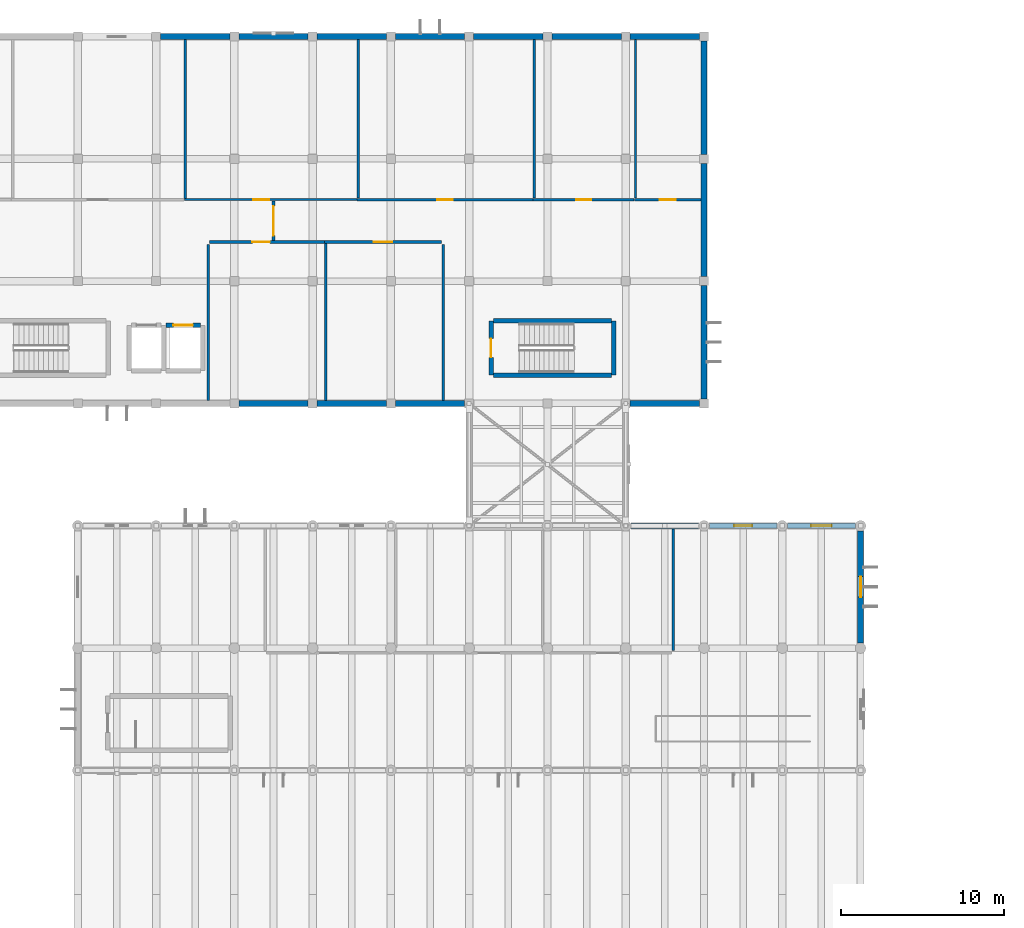
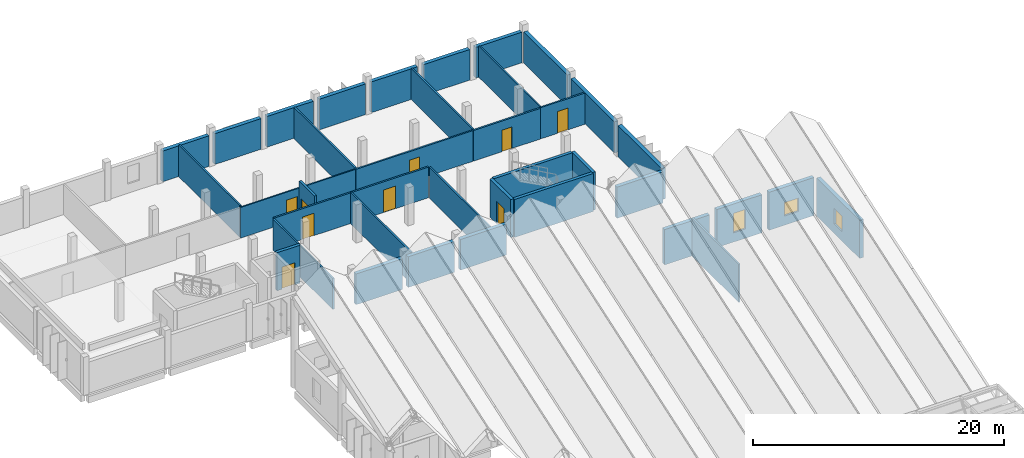
# One storey, part 31 of 47: 38 walls, 9 doors, 3 windows, 12 openings.
"""IFC4 building model written with IfcOpenShell, lengths in metres."""

from ifc_helpers import new_model, si_unit, direction, frame, frame_2d, origin, place, context, subcontext, project, spatial, rectangle, extrude, material, layer, layer_set, type_object, element, fill, save


model = new_model("IFC4")

# Units and contexts
model_context = context("Model", 3, precision=1e-05, world=origin(), true_north=direction((0.0, 1.0)))
body_context = subcontext(model_context, "Body", "Model", "MODEL_VIEW")
ifc_project = project(units=[si_unit("LENGTHUNIT", "METRE"), si_unit("AREAUNIT", "SQUARE_METRE"), si_unit("VOLUMEUNIT", "CUBIC_METRE"), si_unit("PLANEANGLEUNIT", "RADIAN"), si_unit("MASSUNIT", "GRAM", prefix="KILO")], contexts=[model_context])

# Site, building, storey
site_placement = place(None, origin())
site = spatial("IfcSite", under=ifc_project, at=site_placement, CompositionType="ELEMENT")
building_placement = place(site_placement, origin())
building = spatial("IfcBuilding", under=site, at=building_placement, Name="Mawjan Specialist Oncology Clinic", CompositionType="ELEMENT")
storey_placement = place(building_placement, frame((0.0, 0.0, 9.5)))
storey = spatial("IfcBuildingStorey", under=building, at=storey_placement, Name="L02", CompositionType="ELEMENT", Elevation=9.5)

# Walls
ifc_material_1 = material(Name="Precast concrete C40/50", Category="concrete")
ifc_layer_1 = layer(ifc_material_1, 0.35009765625, Name="Precast concrete C40/50", Category="concrete")
ifc_layer_set_1 = layer_set([ifc_layer_1], Name="Precast concrete C40/50")
wall_type_1 = type_object("IfcWallType", Name="EW-350", PredefinedType="SOLIDWALL", material=ifc_layer_set_1)
for number, where, z_axis, x_axis, name in (
    (1, (83.72509765625, 83.300048828125, 0.0), (0.0, 0.0, 1.0), (-1.0, 0.0, 0.0), "L02 Coral-Limestone Exterior Wall EW-L02-206"),
    (2, (78.925048828125, 83.300048828125, 0.0), (0.0, 0.0, 1.0), (-1.0, 0.0, 0.0), "L02 Coral-Limestone Exterior Wall EW-L02-207"),
    (3, (74.125, 83.300048828125, 0.0), (0.0, 0.0, 1.0), (-1.0, 0.0, 0.0), "L02 Coral-Limestone Exterior Wall EW-L02-208"),
    (4, (65.074951171875, 105.800048828125, 0.0), (0.0, 0.0, 1.0), (1.0, 0.0, 0.0), "L02 Coral-Limestone Exterior Wall EW-L02-219"),
    (5, (69.875, 105.800048828125, 0.0), (0.0, 0.0, 1.0), (1.0, 0.0, 0.0), "L02 Coral-Limestone Exterior Wall EW-L02-220"),
    (6, (74.675048828125, 105.800048828125, 0.0), (0.0, 0.0, 1.0), (1.0, 0.0, 0.0), "L02 Coral-Limestone Exterior Wall EW-L02-221"),
    (7, (79.47509765625, 105.800048828125, 0.0), (0.0, 0.0, 1.0), (1.0, 0.0, 0.0), "L02 Coral-Limestone Exterior Wall EW-L02-222"),
    (8, (84.27490234375, 105.800048828125, 0.0), (0.0, 0.0, 1.0), (1.0, 0.0, 0.0), "L02 Coral-Limestone Exterior Wall EW-L02-223"),
    (9, (89.074951171875, 105.800048828125, 0.0), (0.0, 0.0, 1.0), (1.0, 0.0, 0.0), "L02 Coral-Limestone Exterior Wall EW-L02-224"),
    (10, (93.875, 105.800048828125, 0.0), (0.0, 0.0, 1.0), (1.0, 0.0, 0.0), "L02 Coral-Limestone Exterior Wall EW-L02-225"),
):
    element("IfcWall", number, at=place(storey_placement, frame(where, z_axis=z_axis, x_axis=x_axis)), inside=storey, type_object=wall_type_1, Name=name, PredefinedType="SOLIDWALL", context=body_context, shape_type="SweptSolid", body=[
        extrude(rectangle(XDim=4.25, YDim=0.35009765625, at=frame_2d((2.125, 0.0))), origin(), (0.0, 0.0, 1.0), 2.985107421875),
    ])
for number, where, z_axis, x_axis, name in (
    (11, (98.39990234375, 105.52490234375, 0.0), (0.0, 0.0, 1.0), (0.0, -1.0, 0.0), "L02 Coral-Limestone Exterior Wall EW-L02-226"),
    (12, (98.39990234375, 98.02490234375, 0.0), (0.0, 0.0, 1.0), (0.0, -1.0, 0.0), "L02 Coral-Limestone Exterior Wall EW-L02-227"),
    (13, (98.39990234375, 90.52490234375, 0.0), (0.0, 0.0, 1.0), (0.0, -1.0, 0.0), "L02 Coral-Limestone Exterior Wall EW-L02-228"),
):
    element("IfcWall", number, at=place(storey_placement, frame(where, z_axis=z_axis, x_axis=x_axis)), inside=storey, type_object=wall_type_1, Name=name, PredefinedType="SOLIDWALL", context=body_context, shape_type="SweptSolid", body=[
        extrude(rectangle(XDim=6.949951171875, YDim=0.35009765625, at=frame_2d((3.47509765625, 0.0))), origin(), (0.0, 0.0, 1.0), 3.034912109375),
    ])
wall_1_placement = place(storey_placement, frame((98.125, 83.300048828125, 0.0), z_axis=(0.0, 0.0, 1.0), x_axis=(-1.0, 0.0, 0.0)))
element("IfcWall", 14, at=wall_1_placement, inside=storey, type_object=wall_type_1, Name="L02 Coral-Limestone Exterior Wall EW-L02-229", PredefinedType="SOLIDWALL", context=body_context, shape_type="SweptSolid", body=[
    extrude(rectangle(XDim=4.25, YDim=0.35009765625, at=frame_2d((2.125, 0.0))), origin(), (0.0, 0.0, 1.0), 3.034912109375),
])
wall_2_placement = place(storey_placement, frame((93.925048828125, 75.800048828125, 0.0), z_axis=(0.0, 0.0, 1.0), x_axis=(1.0, 0.0, 0.0)))
element("IfcWall", 15, at=wall_2_placement, inside=storey, type_object=wall_type_1, Name="L02 Coral-Limestone Exterior Wall EW-L02-231", PredefinedType="SOLIDWALL", context=body_context, shape_type="SweptSolid", body=[
    extrude(rectangle(XDim=4.14990234375, YDim=0.35009765625, at=frame_2d((2.074951171875, 0.0))), origin(), (0.0, 0.0, 1.0), 3.425048828125),
])

# Wall, opening, window
wall_3_placement = place(storey_placement, frame((98.72509765625, 75.800048828125, 0.0), z_axis=(0.0, 0.0, 1.0), x_axis=(1.0, 0.0, 0.0)))
wall_3 = element("IfcWall", 16, at=wall_3_placement, inside=storey, type_object=wall_type_1, Name="L02 Coral-Limestone Exterior Wall EW-L02-232", PredefinedType="SOLIDWALL", context=body_context, shape_type="SweptSolid", body=[
    extrude(rectangle(XDim=4.14990234375, YDim=0.35009765625, at=frame_2d((2.074951171875, 0.0))), origin(), (0.0, 0.0, 1.0), 3.699951171875),
])
opening_1_placement = place(wall_3_placement, frame((1.52490234375, 0.0, 0.89990234375)))
opening_1 = element("IfcOpeningElement", 17, at=opening_1_placement, cuts=wall_3, Name="Opening WN-08", PredefinedType="OPENING", context=body_context, shape_type="SweptSolid", body=[
    extrude(rectangle(XDim=1.10009765625, YDim=1.89990234375, at=frame_2d((0.550048828125, 0.949951171875))), frame((0.0, 0.18701171875, 0.0), z_axis=(0.0, -1.0, 0.0), x_axis=(1.0, 0.0, 0.0)), (0.0, 0.0, 1.0), 0.3740234375),
])
ifc_material_2 = material(Name="Thermally broken low-E clinical aluminium window", Category="aluminium")
window_type_1 = type_object("IfcWindowType", Name="WN-08", PartitioningType="SINGLE_PANEL", PredefinedType="WINDOW", material=ifc_material_2)
window_1_placement = place(opening_1_placement, origin())
window_1 = element("IfcWindow", 18, at=window_1_placement, inside=storey, type_object=window_type_1, Name="L02 Clinical Low-E Window 044", OverallHeight=1.89990234375, OverallWidth=1.10009765625, PartitioningType="SINGLE_PANEL", PredefinedType="WINDOW", context=body_context, shape_type="SweptSolid", body=[
    extrude(rectangle(XDim=1.10009765625, YDim=1.89990234375, at=frame_2d((0.550048828125, 0.949951171875))), frame((0.0, 0.030029296875, 0.0), z_axis=(0.0, -1.0, 0.0), x_axis=(1.0, 0.0, 0.0)), (0.0, 0.0, 1.0), 0.06005859375),
])
fill(opening_1, window_1)

wall_4_placement = place(storey_placement, frame((103.52490234375, 75.800048828125, 0.0), z_axis=(0.0, 0.0, 1.0), x_axis=(1.0, 0.0, 0.0)))
wall_4 = element("IfcWall", 19, at=wall_4_placement, inside=storey, type_object=wall_type_1, Name="L02 Coral-Limestone Exterior Wall EW-L02-233", PredefinedType="SOLIDWALL", context=body_context, shape_type="SweptSolid", body=[
    extrude(rectangle(XDim=4.150146484375, YDim=0.35009765625, at=frame_2d((2.0751953125, 0.0))), origin(), (0.0, 0.0, 1.0), 3.699951171875),
])
opening_2_placement = place(wall_4_placement, frame((1.449951171875, 0.0, 0.89990234375)))
opening_2 = element("IfcOpeningElement", 20, at=opening_2_placement, cuts=wall_4, Name="Opening WN-09", PredefinedType="OPENING", context=body_context, shape_type="SweptSolid", body=[
    extrude(rectangle(XDim=1.25, YDim=1.300048828125, at=frame_2d((0.625, 0.64990234375))), frame((0.0, 0.18701171875, 0.0), z_axis=(0.0, -1.0, 0.0), x_axis=(1.0, 0.0, 0.0)), (0.0, 0.0, 1.0), 0.3740234375),
])
ifc_material_3 = material(Name="Thermally broken low-E clinical aluminium window", Category="aluminium")
window_type_2 = type_object("IfcWindowType", Name="WN-09", PartitioningType="SINGLE_PANEL", PredefinedType="WINDOW", material=ifc_material_3)
window_2_placement = place(opening_2_placement, origin())
window_2 = element("IfcWindow", 21, at=window_2_placement, inside=storey, type_object=window_type_2, Name="L02 Clinical Low-E Window 045", OverallHeight=1.300048828125, OverallWidth=1.25, PartitioningType="SINGLE_PANEL", PredefinedType="WINDOW", context=body_context, shape_type="SweptSolid", body=[
    extrude(rectangle(XDim=1.25, YDim=1.300048828125, at=frame_2d((0.625, 0.64990234375))), frame((0.0, 0.030029296875, 0.0), z_axis=(0.0, -1.0, 0.0), x_axis=(1.0, 0.0, 0.0)), (0.0, 0.0, 1.0), 0.06005859375),
])
fill(opening_2, window_2)

wall_5_placement = place(storey_placement, frame((108.0, 75.47509765625, 0.0), z_axis=(0.0, 0.0, 1.0), x_axis=(0.0, -1.0, 0.0)))
wall_5 = element("IfcWall", 22, at=wall_5_placement, inside=storey, type_object=wall_type_1, Name="L02 Coral-Limestone Exterior Wall EW-L02-234", PredefinedType="SOLIDWALL", context=body_context, shape_type="SweptSolid", body=[
    extrude(rectangle(XDim=6.85009765625, YDim=0.35009765625, at=frame_2d((3.425048828125, 0.0))), origin(), (0.0, 0.0, 1.0), 3.699951171875),
])
opening_3_placement = place(wall_5_placement, frame((2.800048828125, 0.0, 0.89990234375)))
opening_3 = element("IfcOpeningElement", 23, at=opening_3_placement, cuts=wall_5, Name="Opening WN-10", PredefinedType="OPENING", context=body_context, shape_type="SweptSolid", body=[
    extrude(rectangle(XDim=1.25, YDim=1.5, at=frame_2d((0.625, 0.75))), frame((0.0, 0.18701171875, 0.0), z_axis=(0.0, -1.0, 0.0), x_axis=(1.0, 0.0, 0.0)), (0.0, 0.0, 1.0), 0.3740234375),
])
ifc_material_4 = material(Name="Thermally broken low-E clinical aluminium window", Category="aluminium")
window_type_3 = type_object("IfcWindowType", Name="WN-10", PartitioningType="SINGLE_PANEL", PredefinedType="WINDOW", material=ifc_material_4)
window_3_placement = place(opening_3_placement, origin())
window_3 = element("IfcWindow", 24, at=window_3_placement, inside=storey, type_object=window_type_3, Name="L02 Clinical Low-E Window 046", OverallHeight=1.5, OverallWidth=1.25, PartitioningType="SINGLE_PANEL", PredefinedType="WINDOW", context=body_context, shape_type="SweptSolid", body=[
    extrude(rectangle(XDim=1.25, YDim=1.5, at=frame_2d((0.625, 0.75))), frame((0.0, 0.030029296875, 0.0), z_axis=(0.0, -1.0, 0.0), x_axis=(1.0, 0.0, 0.0)), (0.0, 0.0, 1.0), 0.06005859375),
])
fill(opening_3, window_3)

# Wall, opening, door
ifc_material_5 = material(Name="Concrete C45/55", Category="concrete")
ifc_layer_2 = layer(ifc_material_5, 0.280029296875, Name="Concrete C45/55", Category="concrete")
ifc_layer_set_2 = layer_set([ifc_layer_2], Name="Concrete C45/55")
wall_type_2 = type_object("IfcWallType", Name="SW-300", PredefinedType="SHEAR", material=ifc_layer_set_2)
wall_6_placement = place(storey_placement, frame((67.513916015625, 88.09326171875, 0.0), z_axis=(0.0, 0.0, 1.0), x_axis=(-1.0, 0.0, 0.0)))
wall_6 = element("IfcWall", 25, at=wall_6_placement, inside=storey, type_object=wall_type_2, Name="L02 LF-06 Hoistway Wall 3", PredefinedType="SHEAR", context=body_context, shape_type="SweptSolid", body=[
    extrude(rectangle(XDim=2.110107421875, YDim=0.280029296875, at=frame_2d((1.05517578125, 0.0))), origin(), (0.0, 0.0, 1.0), 3.699951171875),
])
opening_4_placement = place(wall_6_placement, frame((0.455078125, 0.0, 0.0)))
opening_4 = element("IfcOpeningElement", 26, at=opening_4_placement, cuts=wall_6, Name="Opening LD-06-L02", PredefinedType="OPENING", context=body_context, shape_type="SweptSolid", body=[
    extrude(rectangle(XDim=1.199951171875, YDim=2.14990234375, at=frame_2d((0.60009765625, 1.074951171875))), frame((0.0, 0.152099609375, 0.0), z_axis=(0.0, -1.0, 0.0), x_axis=(1.0, 0.0, 0.0)), (0.0, 0.0, 1.0), 0.303955078125),
])
ifc_material_6 = material(Name="Stainless-steel fire-rated hospital door", Category="steel")
door_type_1 = type_object("IfcDoorType", Name="LD-120", OperationType="SLIDING_TO_LEFT", PredefinedType="DOOR", material=ifc_material_6)
door_1_placement = place(opening_4_placement, origin())
door_1 = element("IfcDoor", 27, at=door_1_placement, inside=storey, type_object=door_type_1, Name="L02 LF-06 Sliding Lift Landing Door", OperationType="SLIDING_TO_RIGHT", OverallHeight=2.14990234375, OverallWidth=1.199951171875, PredefinedType="DOOR", context=body_context, shape_type="SweptSolid", body=[
    extrude(rectangle(XDim=1.199951171875, YDim=2.14990234375, at=frame_2d((0.60009765625, 1.074951171875))), frame((0.0, 0.02490234375, 0.0), z_axis=(0.0, -1.0, 0.0), x_axis=(1.0, 0.0, 0.0)), (0.0, 0.0, 1.0), 0.050048828125),
])
fill(opening_4, door_1)

# Walls
wall_7_placement = place(storey_placement, frame((85.485107421875, 85.0400390625, 0.0), z_axis=(0.0, 0.0, 1.0), x_axis=(1.0, 0.0, 0.0)))
element("IfcWall", 28, at=wall_7_placement, inside=storey, type_object=wall_type_2, Name="L02 Core K4 Stair Shear Wall 1", PredefinedType="SHEAR", context=body_context, shape_type="SweptSolid", body=[
    extrude(rectangle(XDim=7.22998046875, YDim=0.280029296875, at=frame_2d((3.614990234375, 0.0))), origin(), (0.0, 0.0, 1.0), 3.699951171875),
])
wall_8_placement = place(storey_placement, frame((92.860107421875, 85.0400390625, 0.0), z_axis=(0.0, 0.0, 1.0), x_axis=(0.0, 1.0, 0.0)))
element("IfcWall", 29, at=wall_8_placement, inside=storey, type_object=wall_type_2, Name="L02 Core K4 Stair Shear Wall 2", PredefinedType="SHEAR", context=body_context, shape_type="SweptSolid", body=[
    extrude(rectangle(XDim=3.320068359375, YDim=0.280029296875, at=frame_2d((1.66015625, 0.0))), origin(), (0.0, 0.0, 1.0), 3.699951171875),
])
wall_9_placement = place(storey_placement, frame((92.715087890625, 88.360107421875, 0.0), z_axis=(0.0, 0.0, 1.0), x_axis=(-1.0, 0.0, 0.0)))
element("IfcWall", 30, at=wall_9_placement, inside=storey, type_object=wall_type_2, Name="L02 Core K4 Stair Shear Wall 3", PredefinedType="SHEAR", context=body_context, shape_type="SweptSolid", body=[
    extrude(rectangle(XDim=7.22998046875, YDim=0.280029296875, at=frame_2d((3.614990234375, 0.0))), origin(), (0.0, 0.0, 1.0), 3.699951171875),
])

# Wall, opening, door
wall_10_placement = place(storey_placement, frame((85.340087890625, 88.360107421875, 0.0), z_axis=(0.0, 0.0, 1.0), x_axis=(0.0, -1.0, 0.0)))
wall_10 = element("IfcWall", 31, at=wall_10_placement, inside=storey, type_object=wall_type_2, Name="L02 Core K4 Stair Shear Wall 4", PredefinedType="SHEAR", context=body_context, shape_type="SweptSolid", body=[
    extrude(rectangle(XDim=3.320068359375, YDim=0.280029296875, at=frame_2d((1.66015625, 0.0))), origin(), (0.0, 0.0, 1.0), 3.699951171875),
])
opening_5_placement = place(wall_10_placement, frame((1.0849609375, 0.0, 0.0)))
opening_5 = element("IfcOpeningElement", 32, at=opening_5_placement, cuts=wall_10, Name="Opening FD-90", PredefinedType="OPENING", context=body_context, shape_type="SweptSolid", body=[
    extrude(rectangle(XDim=1.14990234375, YDim=2.14990234375, at=frame_2d((0.574951171875, 1.074951171875))), frame((0.0, 0.152099609375, 0.0), z_axis=(0.0, -1.0, 0.0), x_axis=(1.0, 0.0, 0.0)), (0.0, 0.0, 1.0), 0.303955078125),
])
ifc_material_7 = material(Name="Stainless-steel fire-rated hospital door", Category="steel")
door_type_2 = type_object("IfcDoorType", Name="FD-90", OperationType="NOTDEFINED", PredefinedType="DOOR", material=ifc_material_7)
door_2_placement = place(opening_5_placement, origin())
door_2 = element("IfcDoor", 33, at=door_2_placement, inside=storey, type_object=door_type_2, Name="L02 ST-04 Fire Exit Stair Door", OperationType="SINGLE_SWING_LEFT", OverallHeight=2.14990234375, OverallWidth=1.14990234375, PredefinedType="DOOR", context=body_context, shape_type="SweptSolid", body=[
    extrude(rectangle(XDim=1.14990234375, YDim=2.14990234375, at=frame_2d((0.574951171875, 1.074951171875))), frame((0.0, 0.02490234375, 0.0), z_axis=(0.0, -1.0, 0.0), x_axis=(1.0, 0.0, 0.0)), (0.0, 0.0, 1.0), 0.050048828125),
])
fill(opening_5, door_2)

ifc_material_8 = material(Name="Moisture-resistant washroom partition", Category="gypsum")
ifc_layer_3 = layer(ifc_material_8, 0.125, Name="Moisture-resistant washroom partition", Category="gypsum")
ifc_layer_set_3 = layer_set([ifc_layer_3], Name="Moisture-resistant washroom partition")
wall_type_3 = type_object("IfcWallType", Name="WP-125", PredefinedType="PARTITIONING", material=ifc_layer_set_3)
wall_11_placement = place(storey_placement, frame((66.527099609375, 95.800048828125, 0.0), z_axis=(0.0, 0.0, 1.0), x_axis=(1.0, 0.0, 0.0)))
wall_11 = element("IfcWall", 34, at=wall_11_placement, inside=storey, type_object=wall_type_3, Name="L02 Interior Partition W-INT-L02-P23-C", PredefinedType="PARTITIONING", context=body_context, shape_type="SweptSolid", body=[
    extrude(rectangle(XDim=10.587890625, YDim=0.125, at=frame_2d((5.2939453125, 0.0))), origin(), (0.0, 0.0, 1.0), 2.985107421875),
])
opening_6_placement = place(wall_11_placement, frame((4.21875, 0.0, 0.0)))
opening_6 = element("IfcOpeningElement", 35, at=opening_6_placement, cuts=wall_11, Name="Opening DA-100", PredefinedType="OPENING", context=body_context, shape_type="SweptSolid", body=[
    extrude(rectangle(XDim=1.0, YDim=2.219970703125, at=frame_2d((0.5, 1.10986328125))), frame((0.0, 0.074462890625, 0.0), z_axis=(0.0, -1.0, 0.0), x_axis=(1.0, 0.0, 0.0)), (0.0, 0.0, 1.0), 0.14892578125),
])
ifc_material_9 = material(Name="Acoustic laminate hospital door leaf", Category="wood")
door_type_3 = type_object("IfcDoorType", Name="DA-100", OperationType="NOTDEFINED", PredefinedType="DOOR", material=ifc_material_9)
door_3_placement = place(opening_6_placement, origin())
door_3 = element("IfcDoor", 36, at=door_3_placement, inside=storey, type_object=door_type_3, Name="L02 Endoscope Reprocessing Room Door", OperationType="SINGLE_SWING_LEFT", OverallHeight=2.219970703125, OverallWidth=1.0, PredefinedType="DOOR", context=body_context, shape_type="SweptSolid", body=[
    extrude(rectangle(XDim=1.0, YDim=2.219970703125, at=frame_2d((0.5, 1.10986328125))), frame((0.0, 0.02490234375, 0.0), z_axis=(0.0, -1.0, 0.0), x_axis=(1.0, 0.0, 0.0)), (0.0, 0.0, 1.0), 0.050048828125),
])
fill(opening_6, door_3)

# Wall
wall_12_placement = place(storey_placement, frame((94.199951171875, 95.886962890625, 0.0), z_axis=(0.0, 0.0, 1.0), x_axis=(0.0, 1.0, 0.0)))
element("IfcWall", 37, at=wall_12_placement, inside=storey, type_object=wall_type_3, Name="L02 Interior Partition W-INT-L02-P25A-D", PredefinedType="PARTITIONING", context=body_context, shape_type="SweptSolid", body=[
    extrude(rectangle(XDim=9.72607421875, YDim=0.125, at=frame_2d((4.863037109375, 0.0))), origin(), (0.0, 0.0, 1.0), 3.034912109375),
])

# Wall, opening, door
ifc_material_10 = material(Name="Acoustic gypsum clinical partition", Category="gypsum")
ifc_layer_4 = layer(ifc_material_10, 0.14990234375, Name="Acoustic gypsum clinical partition", Category="gypsum")
ifc_layer_set_4 = layer_set([ifc_layer_4], Name="Acoustic gypsum clinical partition")
wall_type_4 = type_object("IfcWallType", Name="WP-150", PredefinedType="PARTITIONING", material=ifc_layer_set_4)
wall_13_placement = place(storey_placement, frame((77.126953125, 95.800048828125, 0.0), z_axis=(0.0, 0.0, 1.0), x_axis=(1.0, 0.0, 0.0)))
wall_13 = element("IfcWall", 38, at=wall_13_placement, inside=storey, type_object=wall_type_4, Name="L02 Interior Partition W-INT-L02-P24-C", PredefinedType="PARTITIONING", context=body_context, shape_type="SweptSolid", body=[
    extrude(rectangle(XDim=10.7880859375, YDim=0.14990234375, at=frame_2d((5.39404296875, 0.0))), origin(), (0.0, 0.0, 1.0), 2.985107421875),
])
opening_7_placement = place(wall_13_placement, frame((4.9189453125, 0.0, 0.0)))
opening_7 = element("IfcOpeningElement", 39, at=opening_7_placement, cuts=wall_13, Name="Opening DA-95", PredefinedType="OPENING", context=body_context, shape_type="SweptSolid", body=[
    extrude(rectangle(XDim=0.949951171875, YDim=2.14990234375, at=frame_2d((0.47509765625, 1.074951171875))), frame((0.0, 0.0869140625, 0.0), z_axis=(0.0, -1.0, 0.0), x_axis=(1.0, 0.0, 0.0)), (0.0, 0.0, 1.0), 0.173828125),
])
ifc_material_11 = material(Name="Acoustic laminate hospital door leaf", Category="wood")
door_type_4 = type_object("IfcDoorType", Name="DA-95", OperationType="NOTDEFINED", PredefinedType="DOOR", material=ifc_material_11)
door_4_placement = place(opening_7_placement, origin())
door_4 = element("IfcDoor", 40, at=door_4_placement, inside=storey, type_object=door_type_4, Name="L02 Endoscopy Recovery Lounge Door", OperationType="SINGLE_SWING_RIGHT", OverallHeight=2.14990234375, OverallWidth=0.949951171875, PredefinedType="DOOR", context=body_context, shape_type="SweptSolid", body=[
    extrude(rectangle(XDim=0.949951171875, YDim=2.14990234375, at=frame_2d((0.47509765625, 1.074951171875))), frame((0.0, 0.02490234375, 0.0), z_axis=(0.0, -1.0, 0.0), x_axis=(1.0, 0.0, 0.0)), (0.0, 0.0, 1.0), 0.050048828125),
])
fill(opening_7, door_4)

wall_14_placement = place(storey_placement, frame((94.126953125, 95.800048828125, 0.0), z_axis=(0.0, 0.0, 1.0), x_axis=(1.0, 0.0, 0.0)))
wall_14 = element("IfcWall", 41, at=wall_14_placement, inside=storey, type_object=wall_type_4, Name="L02 Interior Partition W-INT-L02-P25-C", PredefinedType="PARTITIONING", context=body_context, shape_type="SweptSolid", body=[
    extrude(rectangle(XDim=4.0859375, YDim=0.14990234375, at=frame_2d((2.04296875, 0.0))), origin(), (0.0, 0.0, 1.0), 3.034912109375),
])
opening_8_placement = place(wall_14_placement, frame((1.552978515625, 0.0, 0.0)))
opening_8 = element("IfcOpeningElement", 42, at=opening_8_placement, cuts=wall_14, Name="Opening DI-98", PredefinedType="OPENING", context=body_context, shape_type="SweptSolid", body=[
    extrude(rectangle(XDim=0.97998046875, YDim=2.1201171875, at=frame_2d((0.489990234375, 1.06005859375))), frame((0.0, 0.0869140625, 0.0), z_axis=(0.0, -1.0, 0.0), x_axis=(1.0, 0.0, 0.0)), (0.0, 0.0, 1.0), 0.173828125),
])
ifc_material_12 = material(Name="Acoustic laminate hospital door leaf", Category="wood")
door_type_5 = type_object("IfcDoorType", Name="DI-98", OperationType="NOTDEFINED", PredefinedType="DOOR", material=ifc_material_12)
door_5_placement = place(opening_8_placement, origin())
door_5 = element("IfcDoor", 43, at=door_5_placement, inside=storey, type_object=door_type_5, Name="L02 Accessible Patient Toilet Door", OperationType="SINGLE_SWING_RIGHT", OverallHeight=2.1201171875, OverallWidth=0.97998046875, PredefinedType="DOOR", context=body_context, shape_type="SweptSolid", body=[
    extrude(rectangle(XDim=0.97998046875, YDim=2.1201171875, at=frame_2d((0.489990234375, 1.06005859375))), frame((0.0, 0.02490234375, 0.0), z_axis=(0.0, -1.0, 0.0), x_axis=(1.0, 0.0, 0.0)), (0.0, 0.0, 1.0), 0.050048828125),
])
fill(opening_8, door_5)

# Walls
wall_15_placement = place(storey_placement, frame((96.5, 68.1650390625, 0.0), z_axis=(0.0, 0.0, 1.0), x_axis=(0.0, 1.0, 0.0)))
element("IfcWall", 44, at=wall_15_placement, inside=storey, type_object=wall_type_4, Name="L02 Interior Partition W-INT-L02-H23-D", PredefinedType="PARTITIONING", context=body_context, shape_type="SweptSolid", body=[
    extrude(rectangle(XDim=7.447998046875, YDim=0.14990234375, at=frame_2d((3.72412109375, 0.0))), origin(), (0.0, 0.0, 1.0), 3.699951171875),
])
wall_16_placement = place(storey_placement, frame((66.60009765625, 95.87451171875, 0.0), z_axis=(0.0, 0.0, 1.0), x_axis=(0.0, 1.0, 0.0)))
element("IfcWall", 45, at=wall_16_placement, inside=storey, type_object=wall_type_4, Name="L02 Interior Partition W-INT-L02-P22-D", PredefinedType="PARTITIONING", context=body_context, shape_type="SweptSolid", body=[
    extrude(rectangle(XDim=9.738525390625, YDim=0.14990234375, at=frame_2d((4.869140625, 0.0))), origin(), (0.0, 0.0, 1.0), 3.0849609375),
])
wall_17_placement = place(storey_placement, frame((88.0, 95.89208984375, 0.0), z_axis=(0.0, 0.0, 1.0), x_axis=(0.0, 1.0, 0.0)))
element("IfcWall", 46, at=wall_17_placement, inside=storey, type_object=wall_type_4, Name="L02 Interior Partition W-INT-L02-P24-D", PredefinedType="PARTITIONING", context=body_context, shape_type="SweptSolid", body=[
    extrude(rectangle(XDim=9.720947265625, YDim=0.14990234375, at=frame_2d((4.8603515625, 0.0))), origin(), (0.0, 0.0, 1.0), 3.034912109375),
])
wall_18_placement = place(storey_placement, frame((68.0, 83.487060546875, 0.0), z_axis=(0.0, 0.0, 1.0), x_axis=(0.0, 1.0, 0.0)))
element("IfcWall", 47, at=wall_18_placement, inside=storey, type_object=wall_type_4, Name="L02 Interior Partition W-INT-L02-P26-D0", PredefinedType="PARTITIONING", context=body_context, shape_type="SweptSolid", body=[
    extrude(rectangle(XDim=9.5478515625, YDim=0.14990234375, at=frame_2d((4.77392578125, 0.0))), origin(), (0.0, 0.0, 1.0), 3.034912109375),
])
wall_19_placement = place(storey_placement, frame((75.199951171875, 83.487060546875, 0.0), z_axis=(0.0, 0.0, 1.0), x_axis=(0.0, 1.0, 0.0)))
element("IfcWall", 48, at=wall_19_placement, inside=storey, type_object=wall_type_4, Name="L02 Interior Partition W-INT-L02-P26-D", PredefinedType="PARTITIONING", context=body_context, shape_type="SweptSolid", body=[
    extrude(rectangle(XDim=9.620849609375, YDim=0.14990234375, at=frame_2d((4.810546875, 0.0))), origin(), (0.0, 0.0, 1.0), 3.034912109375),
])
wall_20_placement = place(storey_placement, frame((82.39990234375, 83.487060546875, 0.0), z_axis=(0.0, 0.0, 1.0), x_axis=(0.0, 1.0, 0.0)))
element("IfcWall", 49, at=wall_20_placement, inside=storey, type_object=wall_type_4, Name="L02 Interior Partition W-INT-L02-P27-D", PredefinedType="PARTITIONING", context=body_context, shape_type="SweptSolid", body=[
    extrude(rectangle(XDim=9.5478515625, YDim=0.14990234375, at=frame_2d((4.77392578125, 0.0))), origin(), (0.0, 0.0, 1.0), 3.034912109375),
])

# Wall, opening, door
ifc_material_13 = material(Name="Acoustic clinical twin-stud partition", Category="gypsum")
ifc_layer_5 = layer(ifc_material_13, 0.159912109375, Name="Acoustic clinical twin-stud partition", Category="gypsum")
ifc_layer_set_5 = layer_set([ifc_layer_5], Name="Acoustic clinical twin-stud partition")
wall_type_5 = type_object("IfcWallType", Name="WP-160", PredefinedType="PARTITIONING", material=ifc_layer_set_5)
wall_21_placement = place(storey_placement, frame((87.927001953125, 95.800048828125, 0.0), z_axis=(0.0, 0.0, 1.0), x_axis=(1.0, 0.0, 0.0)))
wall_21 = element("IfcWall", 50, at=wall_21_placement, inside=storey, type_object=wall_type_5, Name="L02 Interior Partition W-INT-L02-P25A-C", PredefinedType="PARTITIONING", context=body_context, shape_type="SweptSolid", body=[
    extrude(rectangle(XDim=6.18798828125, YDim=0.159912109375, at=frame_2d((3.093994140625, 0.0))), origin(), (0.0, 0.0, 1.0), 2.985107421875),
])
opening_9_placement = place(wall_21_placement, frame((2.634033203125, 0.0, 0.0)))
opening_9 = element("IfcOpeningElement", 51, at=opening_9_placement, cuts=wall_21, Name="Opening DI-92", PredefinedType="OPENING", context=body_context, shape_type="SweptSolid", body=[
    extrude(rectangle(XDim=0.919921875, YDim=2.10009765625, at=frame_2d((0.4599609375, 1.050048828125))), frame((0.0, 0.092041015625, 0.0), z_axis=(0.0, -1.0, 0.0), x_axis=(1.0, 0.0, 0.0)), (0.0, 0.0, 1.0), 0.183837890625),
])
ifc_material_14 = material(Name="Acoustic laminate hospital door leaf", Category="wood")
door_type_6 = type_object("IfcDoorType", Name="DI-92", OperationType="NOTDEFINED", PredefinedType="DOOR", material=ifc_material_14)
door_6_placement = place(opening_9_placement, origin())
door_6 = element("IfcDoor", 52, at=door_6_placement, inside=storey, type_object=door_type_6, Name="L02 Endoscopy Discharge Counseling Room Door", OperationType="SINGLE_SWING_LEFT", OverallHeight=2.10009765625, OverallWidth=0.919921875, PredefinedType="DOOR", context=body_context, shape_type="SweptSolid", body=[
    extrude(rectangle(XDim=0.919921875, YDim=2.10009765625, at=frame_2d((0.4599609375, 1.050048828125))), frame((0.0, 0.02490234375, 0.0), z_axis=(0.0, -1.0, 0.0), x_axis=(1.0, 0.0, 0.0)), (0.0, 0.0, 1.0), 0.050048828125),
])
fill(opening_9, door_6)

wall_22_placement = place(storey_placement, frame((68.0849609375, 93.199951171875, 0.0), z_axis=(0.0, 0.0, 1.0), x_axis=(1.0, 0.0, 0.0)))
wall_22 = element("IfcWall", 53, at=wall_22_placement, inside=storey, type_object=wall_type_5, Name="L02 Interior Partition W-INT-L02-P26-C", PredefinedType="PARTITIONING", context=body_context, shape_type="SweptSolid", body=[
    extrude(rectangle(XDim=7.030029296875, YDim=0.159912109375, at=frame_2d((3.51513671875, 0.0))), origin(), (0.0, 0.0, 1.0), 2.985107421875),
])
opening_10_placement = place(wall_22_placement, frame((2.617919921875, 0.0, 0.0)))
opening_10 = element("IfcOpeningElement", 54, at=opening_10_placement, cuts=wall_22, Name="Opening DI-108", PredefinedType="OPENING", context=body_context, shape_type="SweptSolid", body=[
    extrude(rectangle(XDim=1.080078125, YDim=2.179931640625, at=frame_2d((0.5400390625, 1.08984375))), frame((0.0, 0.092041015625, 0.0), z_axis=(0.0, -1.0, 0.0), x_axis=(1.0, 0.0, 0.0)), (0.0, 0.0, 1.0), 0.183837890625),
])
ifc_material_15 = material(Name="Acoustic laminate hospital door leaf", Category="wood")
door_type_7 = type_object("IfcDoorType", Name="DI-108", OperationType="NOTDEFINED", PredefinedType="DOOR", material=ifc_material_15)
door_7_placement = place(opening_10_placement, origin())
door_7 = element("IfcDoor", 55, at=door_7_placement, inside=storey, type_object=door_type_7, Name="L02 Pulmonary Endoscopy Prep Room Door", OperationType="SINGLE_SWING_LEFT", OverallHeight=2.179931640625, OverallWidth=1.080078125, PredefinedType="DOOR", context=body_context, shape_type="SweptSolid", body=[
    extrude(rectangle(XDim=1.080078125, YDim=2.179931640625, at=frame_2d((0.5400390625, 1.08984375))), frame((0.0, 0.02490234375, 0.0), z_axis=(0.0, -1.0, 0.0), x_axis=(1.0, 0.0, 0.0)), (0.0, 0.0, 1.0), 0.050048828125),
])
fill(opening_10, door_7)

wall_23_placement = place(storey_placement, frame((75.126953125, 93.199951171875, 0.0), z_axis=(0.0, 0.0, 1.0), x_axis=(1.0, 0.0, 0.0)))
wall_23 = element("IfcWall", 56, at=wall_23_placement, inside=storey, type_object=wall_type_5, Name="L02 Interior Partition W-INT-L02-P27-C", PredefinedType="PARTITIONING", context=body_context, shape_type="SweptSolid", body=[
    extrude(rectangle(XDim=7.18798828125, YDim=0.159912109375, at=frame_2d((3.593994140625, 0.0))), origin(), (0.0, 0.0, 1.0), 2.985107421875),
])
opening_11_placement = place(wall_23_placement, frame((3.033935546875, 0.0, 0.0)))
opening_11 = element("IfcOpeningElement", 57, at=opening_11_placement, cuts=wall_23, Name="Opening DI-112", PredefinedType="OPENING", context=body_context, shape_type="SweptSolid", body=[
    extrude(rectangle(XDim=1.1201171875, YDim=2.199951171875, at=frame_2d((0.56005859375, 1.10009765625))), frame((0.0, 0.092041015625, 0.0), z_axis=(0.0, -1.0, 0.0), x_axis=(1.0, 0.0, 0.0)), (0.0, 0.0, 1.0), 0.183837890625),
])
ifc_material_16 = material(Name="Acoustic laminate hospital door leaf", Category="wood")
door_type_8 = type_object("IfcDoorType", Name="DI-112", OperationType="NOTDEFINED", PredefinedType="DOOR", material=ifc_material_16)
door_8_placement = place(opening_11_placement, origin())
door_8 = element("IfcDoor", 58, at=door_8_placement, inside=storey, type_object=door_type_8, Name="L02 Clean Scope Storage Room Door", OperationType="SINGLE_SWING_RIGHT", OverallHeight=2.199951171875, OverallWidth=1.1201171875, PredefinedType="DOOR", context=body_context, shape_type="SweptSolid", body=[
    extrude(rectangle(XDim=1.1201171875, YDim=2.199951171875, at=frame_2d((0.56005859375, 1.10009765625))), frame((0.0, 0.02490234375, 0.0), z_axis=(0.0, -1.0, 0.0), x_axis=(1.0, 0.0, 0.0)), (0.0, 0.0, 1.0), 0.050048828125),
])
fill(opening_11, door_8)

# Wall
wall_24_placement = place(storey_placement, frame((77.199951171875, 95.886962890625, 0.0), z_axis=(0.0, 0.0, 1.0), x_axis=(0.0, 1.0, 0.0)))
element("IfcWall", 59, at=wall_24_placement, inside=storey, type_object=wall_type_5, Name="L02 Interior Partition W-INT-L02-P23-D", PredefinedType="PARTITIONING", context=body_context, shape_type="SweptSolid", body=[
    extrude(rectangle(XDim=9.72607421875, YDim=0.159912109375, at=frame_2d((4.863037109375, 0.0))), origin(), (0.0, 0.0, 1.0), 3.034912109375),
])

# Wall, opening, door
ifc_material_17 = material(Name="Insulated fire-rated gypsum stud partition", Category="gypsum")
ifc_layer_6 = layer(ifc_material_17, 0.199951171875, Name="Insulated fire-rated gypsum stud partition", Category="gypsum")
ifc_layer_set_6 = layer_set([ifc_layer_6], Name="Insulated fire-rated gypsum stud partition")
wall_type_6 = type_object("IfcWallType", Name="WS-60", PredefinedType="PARTITIONING", material=ifc_layer_set_6)
wall_25_placement = place(storey_placement, frame((72.0, 93.284912109375, 0.0), z_axis=(0.0, 0.0, 1.0), x_axis=(0.0, 1.0, 0.0)))
wall_25 = element("IfcWall", 60, at=wall_25_placement, inside=storey, type_object=wall_type_6, Name="L02 Interior Partition W-SMK-L02-V5", PredefinedType="PARTITIONING", context=body_context, shape_type="SweptSolid", body=[
    extrude(rectangle(XDim=2.43017578125, YDim=0.199951171875, at=frame_2d((1.215087890625, 0.0))), origin(), (0.0, 0.0, 1.0), 3.699951171875),
])
opening_12_placement = place(wall_25_placement, frame((0.31494140625, 0.0, 0.0)))
opening_12 = element("IfcOpeningElement", 61, at=opening_12_placement, cuts=wall_25, Name="Opening DS-180", PredefinedType="OPENING", context=body_context, shape_type="SweptSolid", body=[
    extrude(rectangle(XDim=1.800048828125, YDim=2.14990234375, at=frame_2d((0.89990234375, 1.074951171875))), frame((0.0, 0.112060546875, 0.0), z_axis=(0.0, -1.0, 0.0), x_axis=(1.0, 0.0, 0.0)), (0.0, 0.0, 1.0), 0.223876953125),
])
ifc_material_18 = material(Name="Stainless-steel fire-rated hospital door", Category="steel")
door_type_9 = type_object("IfcDoorType", Name="DS-180", OperationType="DOUBLE_DOOR_SINGLE_SWING", PredefinedType="DOOR", material=ifc_material_18)
door_9_placement = place(opening_12_placement, origin())
door_9 = element("IfcDoor", 62, at=door_9_placement, inside=storey, type_object=door_type_9, Name="L02 Smoke Barrier Cross-Corridor Door", OperationType="DOUBLE_DOOR_SINGLE_SWING", OverallHeight=2.14990234375, OverallWidth=1.800048828125, PredefinedType="DOOR", context=body_context, shape_type="SweptSolid", body=[
    extrude(rectangle(XDim=1.800048828125, YDim=2.14990234375, at=frame_2d((0.89990234375, 1.074951171875))), frame((0.0, 0.02490234375, 0.0), z_axis=(0.0, -1.0, 0.0), x_axis=(1.0, 0.0, 0.0)), (0.0, 0.0, 1.0), 0.050048828125),
])
fill(opening_12, door_9)

save(model, "model.ifc")
